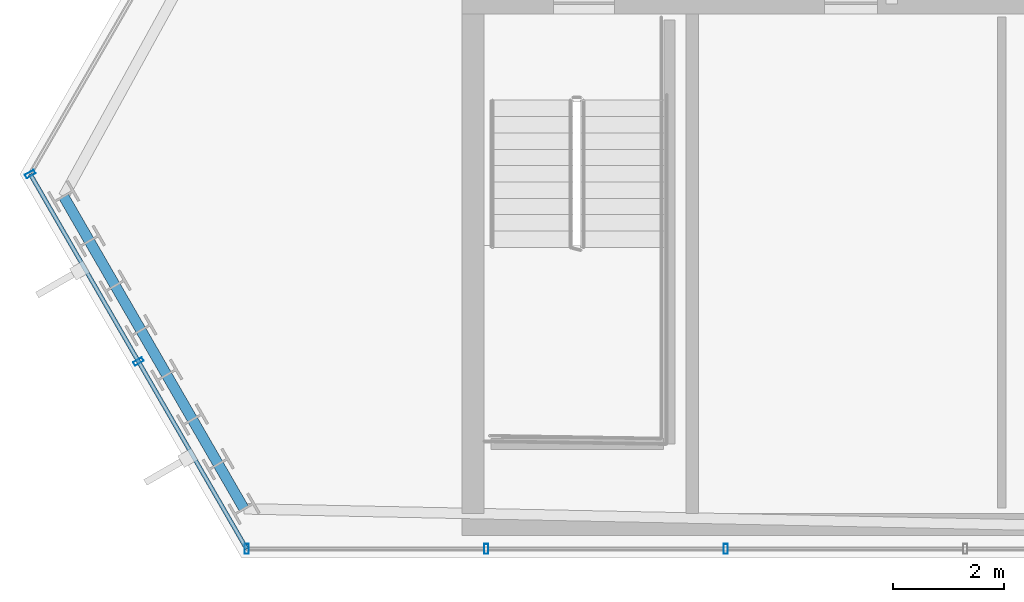
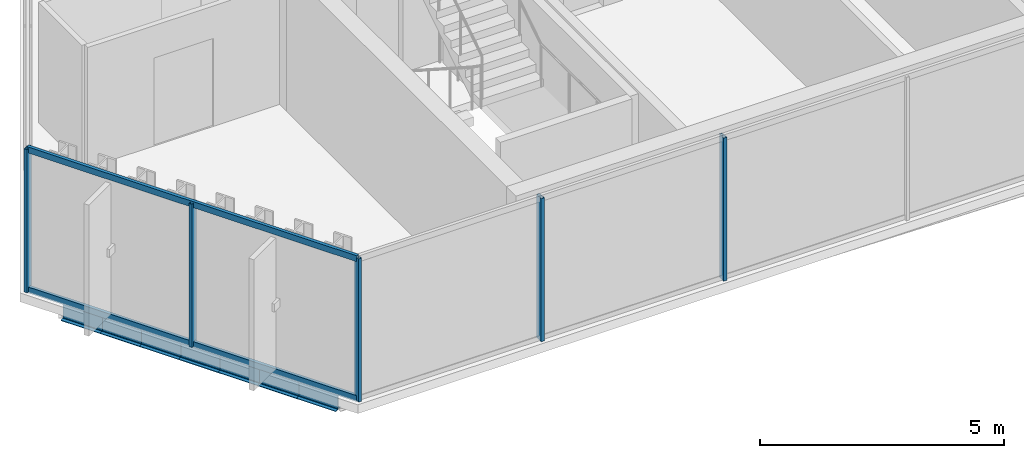
# One storey, part 2 of 30: 7 beams, 7 members, 2 elements without a shape of their own.
"""IFC4 building model written with IfcOpenShell, lengths in metres."""

from ifc_helpers import new_model, si_unit, direction, frame, origin, origin_2d, place, context, subcontext, project, spatial, hollow_rectangle, i_section, extrude, material, layer, layer_set, material_profile, profile_set, type_object, element, aggregate, save


model = new_model("IFC4")

# Units and contexts
model_context = context("Model", 3, precision=1e-05, world=origin(), true_north=direction((0.0, 1.0)))
body_context = subcontext(model_context, "Body", "Model", "MODEL_VIEW")
ifc_project = project(units=[si_unit("LENGTHUNIT", "METRE"), si_unit("AREAUNIT", "SQUARE_METRE"), si_unit("VOLUMEUNIT", "CUBIC_METRE"), si_unit("PLANEANGLEUNIT", "RADIAN"), si_unit("MASSUNIT", "GRAM", prefix="KILO")], contexts=[model_context])

# Site, building, storey
site_placement = place(None, origin())
site = spatial("IfcSite", under=ifc_project, at=site_placement, CompositionType="ELEMENT")
building_placement = place(site_placement, origin())
building = spatial("IfcBuilding", under=site, at=building_placement, Name="Ndaravel Arena Tower", CompositionType="ELEMENT")
storey_placement = place(building_placement, frame((0.0, 0.0, 221.800048828125)))
storey = spatial("IfcBuildingStorey", under=building, at=storey_placement, Name="L53", CompositionType="ELEMENT", Elevation=221.800048828125)

# Beams
ifc_material_1 = material(Name="Steel S355", Category="steel")
ifc_material_profile_1 = material_profile(ifc_material_1, i_section(OverallWidth=0.18994140625, OverallDepth=0.449951171875, WebThickness=0.009521484375, FlangeThickness=0.0146484375, FilletRadius=0.02099609375, at=origin_2d()), Name="IPE 450")
ifc_profile_set_1 = profile_set([ifc_material_profile_1], Name="Steel S355")
beam_type = type_object("IfcBeamType", Name="BM-SPAN-IPE450", PredefinedType="SPANDREL", material=ifc_profile_set_1)
beam_1_placement = place(storey_placement, frame((19.2666015625, 11.515869140625, -0.445068359375), z_axis=(0.499896791762, -0.866084982889, 0.0), x_axis=(0.866084982889, 0.499896791762, 0.0)))
element("IfcBeam", 1, at=beam_1_placement, inside=storey, type_object=beam_type, Name="L53 Perimeter Spandrel Beam SP-20", PredefinedType="SPANDREL", context=body_context, shape_type="SweptSolid", body=[
    extrude(i_section(OverallWidth=0.18994140625, OverallDepth=0.449951171875, WebThickness=0.009521484375, FlangeThickness=0.0146484375, FilletRadius=0.02099609375, at=origin_2d()), origin(), (0.0, 0.0, 1.0), 0.929443359375),
])
for number, where, z_axis, x_axis, name in (
    (2, (19.731201171875, 10.7109375, -0.445068359375), (0.500207565094, -0.865905532852, 0.0), (0.865905532852, 0.500207565094, 0.0), "L53 Perimeter Spandrel Beam SP-21"),
    (3, (20.196044921875, 9.90625, -0.445068359375), (0.500010545262, -0.866019315389, 0.0), (0.866019315389, 0.500010545262, 0.0), "L53 Perimeter Spandrel Beam SP-22"),
):
    element("IfcBeam", number, at=place(storey_placement, frame(where, z_axis=z_axis, x_axis=x_axis)), inside=storey, type_object=beam_type, Name=name, PredefinedType="SPANDREL", context=body_context, shape_type="SweptSolid", body=[
        extrude(i_section(OverallWidth=0.18994140625, OverallDepth=0.449951171875, WebThickness=0.009521484375, FlangeThickness=0.0146484375, FilletRadius=0.02099609375, at=origin_2d()), origin(), (0.0, 0.0, 1.0), 0.92919921875),
    ])
beam_2_placement = place(storey_placement, frame((20.66064453125, 9.1015625, -0.445068359375), z_axis=(0.499896791762, -0.866084982889, 0.0), x_axis=(0.866084982889, 0.499896791762, 0.0)))
element("IfcBeam", 4, at=beam_2_placement, inside=storey, type_object=beam_type, Name="L53 Perimeter Spandrel Beam SP-23", PredefinedType="SPANDREL", context=body_context, shape_type="SweptSolid", body=[
    extrude(i_section(OverallWidth=0.18994140625, OverallDepth=0.449951171875, WebThickness=0.009521484375, FlangeThickness=0.0146484375, FilletRadius=0.02099609375, at=origin_2d()), origin(), (0.0, 0.0, 1.0), 0.929443359375),
])
for number, where, z_axis, x_axis, name in (
    (5, (21.125244140625, 8.296630859375, -0.445068359375), (0.500010545262, -0.866019315389, 0.0), (0.866019315389, 0.500010545262, 0.0), "L53 Perimeter Spandrel Beam SP-24"),
    (6, (21.58984375, 7.491943359375, -0.445068359375), (0.500010545262, -0.866019315389, 0.0), (0.866019315389, 0.500010545262, 0.0), "L53 Perimeter Spandrel Beam SP-25"),
):
    element("IfcBeam", number, at=place(storey_placement, frame(where, z_axis=z_axis, x_axis=x_axis)), inside=storey, type_object=beam_type, Name=name, PredefinedType="SPANDREL", context=body_context, shape_type="SweptSolid", body=[
        extrude(i_section(OverallWidth=0.18994140625, OverallDepth=0.449951171875, WebThickness=0.009521484375, FlangeThickness=0.0146484375, FilletRadius=0.02099609375, at=origin_2d()), origin(), (0.0, 0.0, 1.0), 0.92919921875),
    ])
beam_3_placement = place(storey_placement, frame((22.054443359375, 6.687255859375, -0.445068359375), z_axis=(0.499896791762, -0.866084982889, 0.0), x_axis=(0.866084982889, 0.499896791762, 0.0)))
element("IfcBeam", 7, at=beam_3_placement, inside=storey, type_object=beam_type, Name="L53 Perimeter Spandrel Beam SP-26", PredefinedType="SPANDREL", context=body_context, shape_type="SweptSolid", body=[
    extrude(i_section(OverallWidth=0.18994140625, OverallDepth=0.449951171875, WebThickness=0.009521484375, FlangeThickness=0.0146484375, FilletRadius=0.02099609375, at=origin_2d()), origin(), (0.0, 0.0, 1.0), 0.929443359375),
])

# Curtain wall, members
ifc_material_2 = material(Name="Aluminium", Category="aluminium")
ifc_layer_1 = layer(ifc_material_2, 0.179931640625)
ifc_layer_set_1 = layer_set([ifc_layer_1], Name="Aluminium")
curtain_wall_type_1 = type_object("IfcCurtainWallType", Name="CW-SYS-03", PredefinedType="NOTDEFINED", material=ifc_layer_set_1)
curtain_wall_1_placement = place(storey_placement, origin())
curtain_wall_1 = element("IfcCurtainWall", 8, at=curtain_wall_1_placement, inside=storey, type_object=curtain_wall_type_1, Name="L53 Faceted Crystal Curtain Wall CW-L53-E01", PredefinedType="NOTDEFINED")
ifc_material_3 = material(Name="Aluminium", Category="aluminium")
ifc_material_profile_2 = material_profile(ifc_material_3, hollow_rectangle(XDim=0.074951171875, YDim=0.179931640625, WallThickness=0.00390625, at=origin_2d()), Name="CW MULLION 75x180x4")
ifc_profile_set_2 = profile_set([ifc_material_profile_2], Name="Aluminium")
member_type_1 = type_object("IfcMemberType", Name="MEM-CW-MUL180", PredefinedType="MULLION", material=ifc_profile_set_2)
member_1_placement = place(storey_placement, frame((22.566650390625, 5.159912109375, 0.0), z_axis=(0.0, 0.0, 1.0), x_axis=(1.0, 0.0, 0.0)))
member_1 = element("IfcMember", 9, at=member_1_placement, type_object=member_type_1, Name="CW-L53-E01 Mullion 00", PredefinedType="MULLION", context=body_context, shape_type="SweptSolid", body=[
    extrude(hollow_rectangle(XDim=0.074951171875, YDim=0.179931640625, WallThickness=0.00390625, at=origin_2d()), origin(), (0.0, 0.0, 1.0), 3.579833984375),
])
member_2_placement = place(storey_placement, frame((26.88525390625, 5.159912109375, 0.0), z_axis=(0.0, 0.0, 1.0), x_axis=(1.0, 0.0, 0.0)))
member_2 = element("IfcMember", 10, at=member_2_placement, type_object=member_type_1, Name="CW-L53-E01 Mullion 01", PredefinedType="MULLION", context=body_context, shape_type="SweptSolid", body=[
    extrude(hollow_rectangle(XDim=0.074951171875, YDim=0.179931640625, WallThickness=0.00390625, at=origin_2d()), origin(), (0.0, 0.0, 1.0), 3.579833984375),
])
member_3_placement = place(storey_placement, frame((31.20361328125, 5.159912109375, 0.0), z_axis=(0.0, 0.0, 1.0), x_axis=(1.0, 0.0, 0.0)))
member_3 = element("IfcMember", 11, at=member_3_placement, type_object=member_type_1, Name="CW-L53-E01 Mullion 02", PredefinedType="MULLION", context=body_context, shape_type="SweptSolid", body=[
    extrude(hollow_rectangle(XDim=0.074951171875, YDim=0.179931640625, WallThickness=0.00390625, at=origin_2d()), origin(), (0.0, 0.0, 1.0), 3.579833984375),
])
aggregate(curtain_wall_1, [member_1, member_2, member_3])

ifc_material_4 = material(Name="Aluminium", Category="aluminium")
ifc_layer_2 = layer(ifc_material_4, 0.179931640625)
ifc_layer_set_2 = layer_set([ifc_layer_2], Name="Aluminium")
curtain_wall_type_2 = type_object("IfcCurtainWallType", Name="CW-SYS-02", PredefinedType="NOTDEFINED", material=ifc_layer_set_2)
curtain_wall_2_placement = place(storey_placement, origin())
curtain_wall_2 = element("IfcCurtainWall", 12, at=curtain_wall_2_placement, inside=storey, type_object=curtain_wall_type_2, Name="L53 Faceted Crystal Curtain Wall CW-L53-E06", PredefinedType="NOTDEFINED")
member_4_placement = place(storey_placement, frame((18.664794921875, 11.918212890625, 0.0), z_axis=(0.0, 0.0, 1.0), x_axis=(0.5, -0.866025403784, 0.0)))
member_4 = element("IfcMember", 13, at=member_4_placement, type_object=member_type_1, Name="CW-L53-E06 Mullion 00", PredefinedType="MULLION", context=body_context, shape_type="SweptSolid", body=[
    extrude(hollow_rectangle(XDim=0.074951171875, YDim=0.179931640625, WallThickness=0.00390625, at=origin_2d()), origin(), (0.0, 0.0, 1.0), 3.579833984375),
])
member_5_placement = place(storey_placement, frame((20.61572265625, 8.5390625, 0.0), z_axis=(0.0, 0.0, 1.0), x_axis=(0.5, -0.866025403784, 0.0)))
member_5 = element("IfcMember", 14, at=member_5_placement, type_object=member_type_1, Name="CW-L53-E06 Mullion 01", PredefinedType="MULLION", context=body_context, shape_type="SweptSolid", body=[
    extrude(hollow_rectangle(XDim=0.074951171875, YDim=0.179931640625, WallThickness=0.00390625, at=origin_2d()), origin(), (0.0, 0.0, 1.0), 3.579833984375),
])
ifc_material_5 = material(Name="Aluminium", Category="aluminium")
ifc_material_profile_3 = material_profile(ifc_material_5, hollow_rectangle(XDim=0.074951171875, YDim=0.14990234375, WallThickness=0.00390625, at=origin_2d()), Name="CW TRANSOM 75x150x4")
ifc_profile_set_3 = profile_set([ifc_material_profile_3], Name="Aluminium")
member_type_2 = type_object("IfcMemberType", Name="MEM-CW-TRN150", PredefinedType="USERDEFINED", material=ifc_profile_set_3)
member_6_placement = place(storey_placement, frame((18.664794921875, 11.918212890625, 0.0400390625), z_axis=(0.499995069063, -0.866028250644, 0.0), x_axis=(0.866028250644, 0.499995069063, 0.0)))
member_6 = element("IfcMember", 15, at=member_6_placement, type_object=member_type_2, Name="CW-L53-E06 Transom 01", ObjectType="TRANSOM", PredefinedType="USERDEFINED", context=body_context, shape_type="SweptSolid", body=[
    extrude(hollow_rectangle(XDim=0.074951171875, YDim=0.14990234375, WallThickness=0.00390625, at=origin_2d()), origin(), (0.0, 0.0, 1.0), 7.8037109375),
])
member_7_placement = place(storey_placement, frame((18.664794921875, 11.918212890625, 3.5400390625), z_axis=(0.499995069063, -0.866028250644, 0.0), x_axis=(0.866028250644, 0.499995069063, 0.0)))
member_7 = element("IfcMember", 16, at=member_7_placement, type_object=member_type_2, Name="CW-L53-E06 Transom 02", ObjectType="TRANSOM", PredefinedType="USERDEFINED", context=body_context, shape_type="SweptSolid", body=[
    extrude(hollow_rectangle(XDim=0.074951171875, YDim=0.14990234375, WallThickness=0.00390625, at=origin_2d()), origin(), (0.0, 0.0, 1.0), 7.8037109375),
])
aggregate(curtain_wall_2, [member_4, member_5, member_6, member_7])

save(model, "model.ifc")
